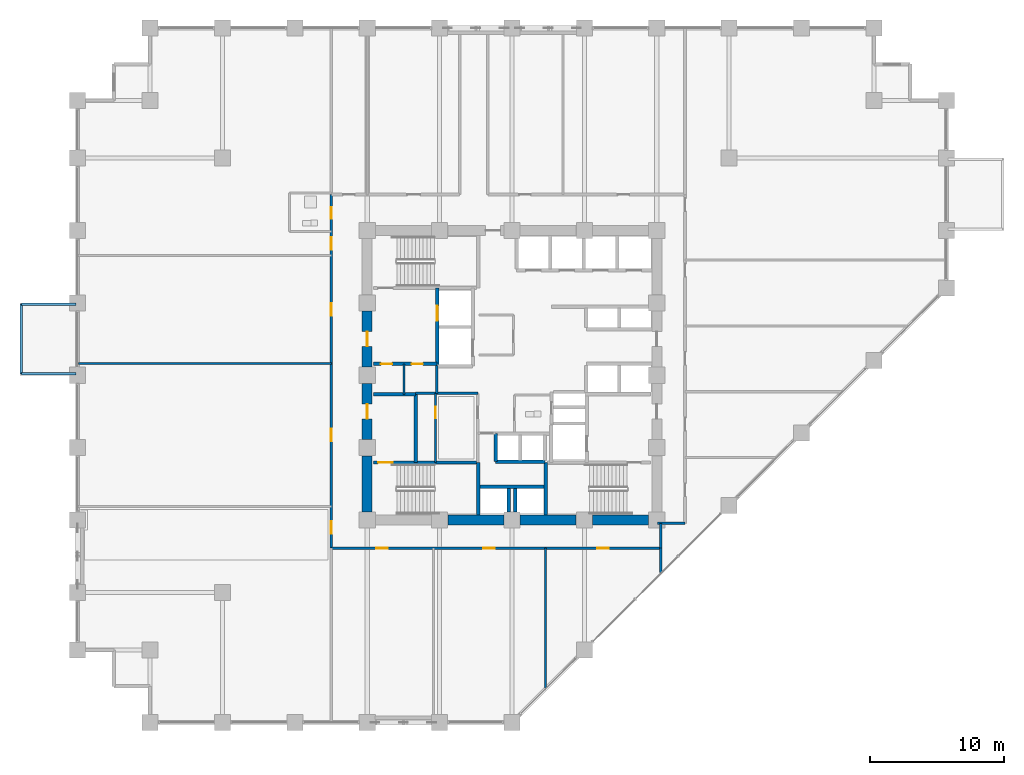
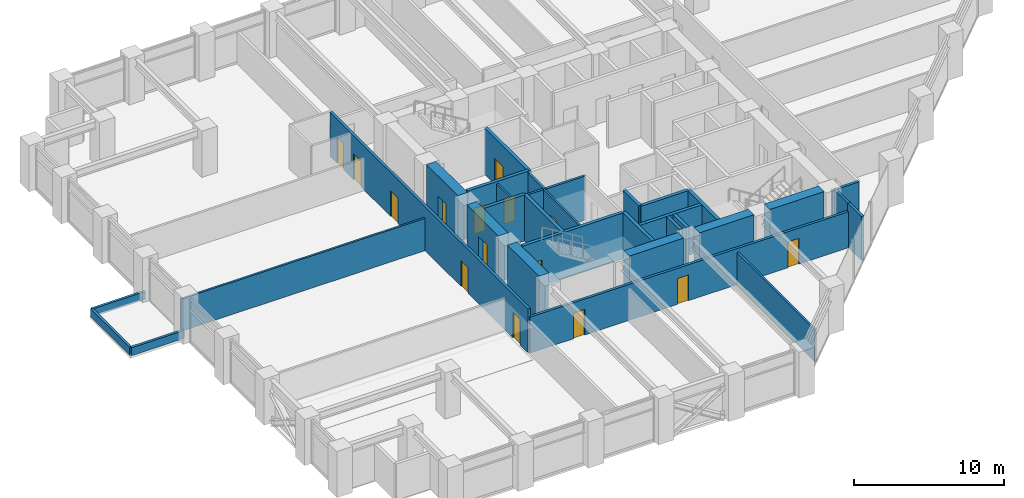
# One storey, part 20 of 26: 32 walls, 15 doors, 15 openings.
"""IFC4 building model written with IfcOpenShell, lengths in metres."""

from ifc_helpers import new_model, si_unit, direction, frame, frame_2d, origin, place, context, subcontext, project, spatial, rectangle, extrude, material, layer, layer_set, type_object, element, fill, save


model = new_model("IFC4")

# Units and contexts
model_context = context("Model", 3, precision=1e-05, world=origin(), true_north=direction((0.0, 1.0)))
body_context = subcontext(model_context, "Body", "Model", "MODEL_VIEW")
ifc_project = project(units=[si_unit("LENGTHUNIT", "METRE"), si_unit("AREAUNIT", "SQUARE_METRE"), si_unit("VOLUMEUNIT", "CUBIC_METRE"), si_unit("PLANEANGLEUNIT", "RADIAN"), si_unit("MASSUNIT", "GRAM", prefix="KILO")], contexts=[model_context])

# Site, building, storey
site_placement = place(None, origin())
site = spatial("IfcSite", under=ifc_project, at=site_placement, CompositionType="ELEMENT")
building_placement = place(site_placement, origin())
building = spatial("IfcBuilding", under=site, at=building_placement, Name="Surkhivell Harbour Commons", CompositionType="ELEMENT")
storey_placement = place(building_placement, frame((0.0, 0.0, 71.25)))
storey = spatial("IfcBuildingStorey", under=building, at=storey_placement, Name="L18", CompositionType="ELEMENT", Elevation=71.25)

# Walls
ifc_material_1 = material(Name="Concrete C60/75", Category="concrete")
ifc_layer_1 = layer(ifc_material_1, 0.75)
ifc_layer_set_1 = layer_set([ifc_layer_1], Name="Concrete C60/75")
wall_type_1 = type_object("IfcWallType", Name="WAL-CORE-750", PredefinedType="SHEAR", material=ifc_layer_set_1)
for number, where, z_axis, x_axis, name in (
    (1, (-10.800048828125, -10.18994140625, 0.0), (0.0, 0.0, 1.0), (0.0, 1.0, 0.0), "L18 Core Shear Wall West 1"),
    (2, (-4.7900390625, -10.800048828125, 0.0), (0.0, 0.0, 1.0), (1.0, 0.0, 0.0), "L18 Core Shear Wall South 2"),
):
    element("IfcWall", number, at=place(storey_placement, frame(where, z_axis=z_axis, x_axis=x_axis)), inside=storey, type_object=wall_type_1, Name=name, PredefinedType="SHEAR", context=body_context, shape_type="SweptSolid", body=[
        extrude(rectangle(XDim=4.179931640625, YDim=0.75, at=frame_2d((2.08984375, 0.0))), origin(), (0.0, 0.0, 1.0), 3.75),
    ])

# Wall, opening, door
wall_1_placement = place(storey_placement, frame((-10.800048828125, -4.7900390625, 0.0), z_axis=(0.0, 0.0, 1.0), x_axis=(0.0, 1.0, 0.0)))
wall_1 = element("IfcWall", 3, at=wall_1_placement, inside=storey, type_object=wall_type_1, Name="L18 Core Shear Wall West 2", PredefinedType="SHEAR", context=body_context, shape_type="SweptSolid", body=[
    extrude(rectangle(XDim=4.179931640625, YDim=0.75, at=frame_2d((2.08984375, 0.0))), origin(), (0.0, 0.0, 1.0), 3.75),
])
opening_1_placement = place(wall_1_placement, frame((1.5400390625, 0.0, 0.0)))
opening_1 = element("IfcOpeningElement", 4, at=opening_1_placement, cuts=wall_1, Name="Opening ID-2", PredefinedType="OPENING", context=body_context, shape_type="SweptSolid", body=[
    extrude(rectangle(XDim=1.10009765625, YDim=2.10009765625, at=frame_2d((0.550048828125, 1.050048828125))), frame((0.0, 0.385009765625, 0.0), z_axis=(0.0, -1.0, 0.0), x_axis=(1.0, 0.0, 0.0)), (0.0, 0.0, 1.0), 0.77001953125),
])
ifc_material_2 = material(Name="Hardwood-veneered fire-rated door leaf", Category="wood")
door_type_1 = type_object("IfcDoorType", Name="DOR-FD60-1100", OperationType="NOTDEFINED", PredefinedType="DOOR", material=ifc_material_2)
door_1_placement = place(opening_1_placement, origin())
door_1 = element("IfcDoor", 5, at=door_1_placement, inside=storey, type_object=door_type_1, Name="L18 Stair 3 Lobby Corridor Door", OperationType="SINGLE_SWING_LEFT", OverallHeight=2.10009765625, OverallWidth=1.10009765625, PredefinedType="DOOR", context=body_context, shape_type="SweptSolid", body=[
    extrude(rectangle(XDim=1.10009765625, YDim=2.10009765625, at=frame_2d((0.550048828125, 1.050048828125))), frame((0.0, 0.02490234375, 0.0), z_axis=(0.0, -1.0, 0.0), x_axis=(1.0, 0.0, 0.0)), (0.0, 0.0, 1.0), 0.050048828125),
])
fill(opening_1, door_1)

# Wall
wall_2_placement = place(storey_placement, frame((0.610107421875, -10.800048828125, 0.0), z_axis=(0.0, 0.0, 1.0), x_axis=(1.0, 0.0, 0.0)))
element("IfcWall", 6, at=wall_2_placement, inside=storey, type_object=wall_type_1, Name="L18 Core Shear Wall South 3", PredefinedType="SHEAR", context=body_context, shape_type="SweptSolid", body=[
    extrude(rectangle(XDim=4.179931640625, YDim=0.75, at=frame_2d((2.08984375, 0.0))), origin(), (0.0, 0.0, 1.0), 3.75),
])

# Wall, opening, door
wall_3_placement = place(storey_placement, frame((-10.800048828125, 0.610107421875, 0.0), z_axis=(0.0, 0.0, 1.0), x_axis=(0.0, 1.0, 0.0)))
wall_3 = element("IfcWall", 7, at=wall_3_placement, inside=storey, type_object=wall_type_1, Name="L18 Core Shear Wall West 3", PredefinedType="SHEAR", context=body_context, shape_type="SweptSolid", body=[
    extrude(rectangle(XDim=4.179931640625, YDim=0.75, at=frame_2d((2.08984375, 0.0))), origin(), (0.0, 0.0, 1.0), 3.75),
])
opening_2_placement = place(wall_3_placement, frame((1.5400390625, 0.0, 0.0)))
opening_2 = element("IfcOpeningElement", 8, at=opening_2_placement, cuts=wall_3, Name="Opening ID-1", PredefinedType="OPENING", context=body_context, shape_type="SweptSolid", body=[
    extrude(rectangle(XDim=1.10009765625, YDim=2.10009765625, at=frame_2d((0.550048828125, 1.050048828125))), frame((0.0, 0.385009765625, 0.0), z_axis=(0.0, -1.0, 0.0), x_axis=(1.0, 0.0, 0.0)), (0.0, 0.0, 1.0), 0.77001953125),
])
door_type_2 = type_object("IfcDoorType", Name="DOR-FD120-1100", OperationType="NOTDEFINED", PredefinedType="DOOR", material=ifc_material_2)
door_2_placement = place(opening_2_placement, origin())
door_2 = element("IfcDoor", 9, at=door_2_placement, inside=storey, type_object=door_type_2, Name="L18 Firefighting Lobby 1 Corridor Door", OperationType="SINGLE_SWING_LEFT", OverallHeight=2.10009765625, OverallWidth=1.10009765625, PredefinedType="DOOR", context=body_context, shape_type="SweptSolid", body=[
    extrude(rectangle(XDim=1.10009765625, YDim=2.10009765625, at=frame_2d((0.550048828125, 1.050048828125))), frame((0.0, 0.02490234375, 0.0), z_axis=(0.0, -1.0, 0.0), x_axis=(1.0, 0.0, 0.0)), (0.0, 0.0, 1.0), 0.050048828125),
])
fill(opening_2, door_2)

# Wall
wall_4_placement = place(storey_placement, frame((6.010009765625, -10.800048828125, 0.0), z_axis=(0.0, 0.0, 1.0), x_axis=(1.0, 0.0, 0.0)))
element("IfcWall", 10, at=wall_4_placement, inside=storey, type_object=wall_type_1, Name="L18 Core Shear Wall South 4", PredefinedType="SHEAR", context=body_context, shape_type="SweptSolid", body=[
    extrude(rectangle(XDim=4.179931640625, YDim=0.75, at=frame_2d((2.08984375, 0.0))), origin(), (0.0, 0.0, 1.0), 3.75),
])

# Wall, opening, door
ifc_material_3 = material(Name="Twin-stud acoustic fireboard partition", Category="other")
ifc_layer_2 = layer(ifc_material_3, 0.14990234375)
ifc_layer_set_2 = layer_set([ifc_layer_2], Name="Twin-stud acoustic fireboard partition")
wall_type_2 = type_object("IfcWallType", Name="WAL-INT-150", PredefinedType="PARTITIONING", material=ifc_layer_set_2)
wall_5_placement = place(storey_placement, frame((-5.699951171875, -6.510009765625, 0.0), z_axis=(0.0, 0.0, 1.0), x_axis=(0.0, 1.0, 0.0)))
wall_5 = element("IfcWall", 11, at=wall_5_placement, inside=storey, type_object=wall_type_2, Name="L18 Core Cut B Partition", PredefinedType="PARTITIONING", context=body_context, shape_type="SweptSolid", body=[
    extrude(rectangle(XDim=5.159912109375, YDim=0.14990234375, at=frame_2d((2.580078125, 0.0))), origin(), (0.0, 0.0, 1.0), 3.570068359375),
])
opening_3_placement = place(wall_5_placement, frame((3.300048828125, 0.0, 0.0)))
opening_3 = element("IfcOpeningElement", 12, at=opening_3_placement, cuts=wall_5, Name="Opening ID-6", PredefinedType="OPENING", context=body_context, shape_type="SweptSolid", body=[
    extrude(rectangle(XDim=0.85009765625, YDim=2.10009765625, at=frame_2d((0.425048828125, 1.050048828125))), frame((0.0, 0.0849609375, 0.0), z_axis=(0.0, -1.0, 0.0), x_axis=(1.0, 0.0, 0.0)), (0.0, 0.0, 1.0), 0.169921875),
])
door_type_3 = type_object("IfcDoorType", Name="DOR-FD30-850", OperationType="NOTDEFINED", PredefinedType="DOOR", material=ifc_material_2)
door_3_placement = place(opening_3_placement, origin())
door_3 = element("IfcDoor", 13, at=door_3_placement, inside=storey, type_object=door_type_3, Name="L18 Core Focus Study Door", OperationType="SINGLE_SWING_RIGHT", OverallHeight=2.10009765625, OverallWidth=0.85009765625, PredefinedType="DOOR", context=body_context, shape_type="SweptSolid", body=[
    extrude(rectangle(XDim=0.85009765625, YDim=2.10009765625, at=frame_2d((0.425048828125, 1.050048828125))), frame((0.0, 0.02490234375, 0.0), z_axis=(0.0, -1.0, 0.0), x_axis=(1.0, 0.0, 0.0)), (0.0, 0.0, 1.0), 0.050048828125),
])
fill(opening_3, door_3)

# Walls
wall_6_placement = place(storey_placement, frame((-8.050048828125, -1.419921875, 0.0), z_axis=(0.0, 0.0, 1.0), x_axis=(0.0, 1.0, 0.0)))
element("IfcWall", 14, at=wall_6_placement, inside=storey, type_object=wall_type_2, Name="L18 West Seminar Booth Divider", PredefinedType="PARTITIONING", context=body_context, shape_type="SweptSolid", body=[
    extrude(rectangle(XDim=2.27001953125, YDim=0.14990234375, at=frame_2d((1.135009765625, 0.0))), origin(), (0.0, 0.0, 1.0), 3.570068359375),
])
wall_7_placement = place(storey_placement, frame((2.5, -23.315185546875, 0.0), z_axis=(0.0, 0.0, 1.0), x_axis=(0.0, 1.0, 0.0)))
element("IfcWall", 15, at=wall_7_placement, inside=storey, type_object=wall_type_2, Name="L18 South Partition P2", PredefinedType="PARTITIONING", context=body_context, shape_type="SweptSolid", body=[
    extrude(rectangle(XDim=10.415283203125, YDim=0.14990234375, at=frame_2d((5.20751953125, 0.0))), origin(), (0.0, 0.0, 1.0), 2.623046875),
])
wall_8_placement = place(storey_placement, frame((-32.340087890625, 0.8798828125, 0.0), z_axis=(0.0, 0.0, 1.0), x_axis=(1.0, 0.0, 0.0)))
element("IfcWall", 16, at=wall_8_placement, inside=storey, type_object=wall_type_2, Name="L18 West Partition BDP1", PredefinedType="PARTITIONING", context=body_context, shape_type="SweptSolid", body=[
    extrude(rectangle(XDim=18.860107421875, YDim=0.14990234375, at=frame_2d((9.43017578125, 0.0))), origin(), (0.0, 0.0, 1.0), 2.623046875),
])
ifc_material_4 = material(Name="High-density acoustic blockwork fire partition", Category="masonry")
ifc_layer_3 = layer(ifc_material_4, 0.175048828125)
ifc_layer_set_3 = layer_set([ifc_layer_3], Name="High-density acoustic blockwork fire partition")
wall_type_3 = type_object("IfcWallType", Name="WAL-INT-175", PredefinedType="PARTITIONING", material=ifc_layer_set_3)
wall_9_placement = place(storey_placement, frame((-7.179931640625, -1.35009765625, 0.0), z_axis=(0.0, 0.0, 1.0), x_axis=(1.0, 0.0, 0.0)))
element("IfcWall", 17, at=wall_9_placement, inside=storey, type_object=wall_type_3, Name="L18 Core Service Bay North Wall", PredefinedType="PARTITIONING", context=body_context, shape_type="SweptSolid", body=[
    extrude(rectangle(XDim=4.6298828125, YDim=0.175048828125, at=frame_2d((2.31494140625, 0.0))), origin(), (0.0, 0.0, 1.0), 3.570068359375),
])
wall_10_placement = place(storey_placement, frame((-5.6201171875, -1.35009765625, 0.0), z_axis=(0.0, 0.0, 1.0), x_axis=(0.0, 1.0, 0.0)))
element("IfcWall", 18, at=wall_10_placement, inside=storey, type_object=wall_type_3, Name="L18 West Core Bay East Wall", PredefinedType="PARTITIONING", context=body_context, shape_type="SweptSolid", body=[
    extrude(rectangle(XDim=2.070068359375, YDim=0.175048828125, at=frame_2d((1.03515625, 0.0))), origin(), (0.0, 0.0, 1.0), 3.570068359375),
])
ifc_material_5 = material(Name="Autoclaved aerated concrete blockwork and fire plaster", Category="masonry")
ifc_layer_4 = layer(ifc_material_5, 0.199951171875)
ifc_layer_set_4 = layer_set([ifc_layer_4], Name="Autoclaved aerated concrete blockwork and fire plaster")
wall_type_4 = type_object("IfcWallType", Name="WAL-INT-200", PredefinedType="PARTITIONING", material=ifc_layer_set_4)
wall_11_placement = place(storey_placement, frame((11.10009765625, -14.715087890625, 0.0), z_axis=(0.0, 0.0, 1.0), x_axis=(0.0, 1.0, 0.0)))
element("IfcWall", 19, at=wall_11_placement, inside=storey, type_object=wall_type_4, Name="L18 South-East Wing Corner Divider", PredefinedType="PARTITIONING", context=body_context, shape_type="SweptSolid", body=[
    extrude(rectangle(XDim=1.815185546875, YDim=0.199951171875, at=frame_2d((0.90771484375, 0.0))), origin(), (0.0, 0.0, 1.0), 3.570068359375),
])
wall_12_placement = place(storey_placement, frame((10.85009765625, -11.0400390625, 0.0), z_axis=(0.0, 0.0, 1.0), x_axis=(1.0, 0.0, 0.0)))
element("IfcWall", 20, at=wall_12_placement, inside=storey, type_object=wall_type_4, Name="L18 Corridor East South Closure Wall", PredefinedType="PARTITIONING", context=body_context, shape_type="SweptSolid", body=[
    extrude(rectangle(XDim=2.0498046875, YDim=0.199951171875, at=frame_2d((1.02490234375, 0.0))), origin(), (0.0, 0.0, 1.0), 3.570068359375),
])

# Wall, openings, doors
wall_13_placement = place(storey_placement, frame((-13.47998046875, -12.89990234375, 0.0), z_axis=(0.0, 0.0, 1.0), x_axis=(1.0, 0.0, 0.0)))
wall_13 = element("IfcWall", 21, at=wall_13_placement, inside=storey, type_object=wall_type_4, Name="L18 Corridor South Wall", PredefinedType="PARTITIONING", context=body_context, shape_type="SweptSolid", body=[
    extrude(rectangle(XDim=24.580078125, YDim=0.199951171875, at=frame_2d((12.2900390625, 0.0))), origin(), (0.0, 0.0, 1.0), 2.929931640625),
])
opening_4_placement = place(wall_13_placement, frame((3.360107421875, 0.0, 0.0)))
opening_4 = element("IfcOpeningElement", 22, at=opening_4_placement, cuts=wall_13, Name="Opening ID-6", PredefinedType="OPENING", context=body_context, shape_type="SweptSolid", body=[
    extrude(rectangle(XDim=0.85009765625, YDim=2.10009765625, at=frame_2d((0.425048828125, 1.050048828125))), frame((0.0, 0.10986328125, 0.0), z_axis=(0.0, -1.0, 0.0), x_axis=(1.0, 0.0, 0.0)), (0.0, 0.0, 1.0), 0.219970703125),
])
opening_5_placement = place(wall_13_placement, frame((11.35009765625, 0.0, 0.0)))
opening_5 = element("IfcOpeningElement", 23, at=opening_5_placement, cuts=wall_13, Name="Opening ID-6", PredefinedType="OPENING", context=body_context, shape_type="SweptSolid", body=[
    extrude(rectangle(XDim=0.85009765625, YDim=2.10009765625, at=frame_2d((0.425048828125, 1.050048828125))), frame((0.0, 0.10986328125, 0.0), z_axis=(0.0, -1.0, 0.0), x_axis=(1.0, 0.0, 0.0)), (0.0, 0.0, 1.0), 0.219970703125),
])
opening_6_placement = place(wall_13_placement, frame((19.830078125, 0.0, 0.0)))
opening_6 = element("IfcOpeningElement", 24, at=opening_6_placement, cuts=wall_13, Name="Opening ID-6", PredefinedType="OPENING", context=body_context, shape_type="SweptSolid", body=[
    extrude(rectangle(XDim=0.85009765625, YDim=2.10009765625, at=frame_2d((0.425048828125, 1.050048828125))), frame((0.0, 0.10986328125, 0.0), z_axis=(0.0, -1.0, 0.0), x_axis=(1.0, 0.0, 0.0)), (0.0, 0.0, 1.0), 0.219970703125),
])
door_4_placement = place(opening_4_placement, origin())
door_4 = element("IfcDoor", 25, at=door_4_placement, inside=storey, type_object=door_type_3, Name="L18 Harbour Espresso Cafe Shop 1 South Door", OperationType="SINGLE_SWING_LEFT", OverallHeight=2.10009765625, OverallWidth=0.85009765625, PredefinedType="DOOR", context=body_context, shape_type="SweptSolid", body=[
    extrude(rectangle(XDim=0.85009765625, YDim=2.10009765625, at=frame_2d((0.425048828125, 1.050048828125))), frame((0.0, 0.02490234375, 0.0), z_axis=(0.0, -1.0, 0.0), x_axis=(1.0, 0.0, 0.0)), (0.0, 0.0, 1.0), 0.050048828125),
])
fill(opening_4, door_4)
door_5_placement = place(opening_5_placement, origin())
door_5 = element("IfcDoor", 26, at=door_5_placement, inside=storey, type_object=door_type_3, Name="L18 Campus Bakery Cafe Shop 2 South Door", OperationType="SINGLE_SWING_RIGHT", OverallHeight=2.10009765625, OverallWidth=0.85009765625, PredefinedType="DOOR", context=body_context, shape_type="SweptSolid", body=[
    extrude(rectangle(XDim=0.85009765625, YDim=2.10009765625, at=frame_2d((0.425048828125, 1.050048828125))), frame((0.0, 0.02490234375, 0.0), z_axis=(0.0, -1.0, 0.0), x_axis=(1.0, 0.0, 0.0)), (0.0, 0.0, 1.0), 0.050048828125),
])
fill(opening_5, door_5)
door_6_placement = place(opening_6_placement, origin())
door_6 = element("IfcDoor", 27, at=door_6_placement, inside=storey, type_object=door_type_3, Name="L18 Stationery Supply Shop 3 South Door", OperationType="SINGLE_SWING_LEFT", OverallHeight=2.10009765625, OverallWidth=0.85009765625, PredefinedType="DOOR", context=body_context, shape_type="SweptSolid", body=[
    extrude(rectangle(XDim=0.85009765625, YDim=2.10009765625, at=frame_2d((0.425048828125, 1.050048828125))), frame((0.0, 0.02490234375, 0.0), z_axis=(0.0, -1.0, 0.0), x_axis=(1.0, 0.0, 0.0)), (0.0, 0.0, 1.0), 0.050048828125),
])
fill(opening_6, door_6)

# Wall
wall_14_placement = place(storey_placement, frame((11.10009765625, -12.89990234375, 0.0), z_axis=(0.0, 0.0, 1.0), x_axis=(0.0, 1.0, 0.0)))
element("IfcWall", 28, at=wall_14_placement, inside=storey, type_object=wall_type_4, Name="L18 Corridor SE Closure Wall", PredefinedType="PARTITIONING", context=body_context, shape_type="SweptSolid", body=[
    extrude(rectangle(XDim=1.85986328125, YDim=0.199951171875, at=frame_2d((0.929931640625, 0.0))), origin(), (0.0, 0.0, 1.0), 3.570068359375),
])

# Wall, openings, doors
wall_15_placement = place(storey_placement, frame((-13.47998046875, -12.89990234375, 0.0), z_axis=(0.0, 0.0, 1.0), x_axis=(0.0, 1.0, 0.0)))
wall_15 = element("IfcWall", 29, at=wall_15_placement, inside=storey, type_object=wall_type_4, Name="L18 Corridor West Wall", PredefinedType="PARTITIONING", context=body_context, shape_type="SweptSolid", body=[
    extrude(rectangle(XDim=26.3798828125, YDim=0.199951171875, at=frame_2d((13.18994140625, 0.0))), origin(), (0.0, 0.0, 1.0), 3.570068359375),
])
opening_7_placement = place(wall_15_placement, frame((1.070068359375, 0.0, 0.0)))
opening_7 = element("IfcOpeningElement", 30, at=opening_7_placement, cuts=wall_15, Name="Opening ID-4", PredefinedType="OPENING", context=body_context, shape_type="SweptSolid", body=[
    extrude(rectangle(XDim=0.949951171875, YDim=2.10009765625, at=frame_2d((0.47509765625, 1.050048828125))), frame((0.0, 0.10986328125, 0.0), z_axis=(0.0, -1.0, 0.0), x_axis=(1.0, 0.0, 0.0)), (0.0, 0.0, 1.0), 0.219970703125),
])
opening_8_placement = place(wall_15_placement, frame((24.5849609375, 0.0, 0.0)))
opening_8 = element("IfcOpeningElement", 31, at=opening_8_placement, cuts=wall_15, Name="Opening ID-6", PredefinedType="OPENING", context=body_context, shape_type="SweptSolid", body=[
    extrude(rectangle(XDim=0.85009765625, YDim=2.10009765625, at=frame_2d((0.425048828125, 1.050048828125))), frame((0.0, 0.10986328125, 0.0), z_axis=(0.0, -1.0, 0.0), x_axis=(1.0, 0.0, 0.0)), (0.0, 0.0, 1.0), 0.219970703125),
])
opening_9_placement = place(wall_15_placement, frame((22.25, 0.0, 0.0)))
opening_9 = element("IfcOpeningElement", 32, at=opening_9_placement, cuts=wall_15, Name="Opening ID-4", PredefinedType="OPENING", context=body_context, shape_type="SweptSolid", body=[
    extrude(rectangle(XDim=0.949951171875, YDim=2.10009765625, at=frame_2d((0.47509765625, 1.050048828125))), frame((0.0, 0.10986328125, 0.0), z_axis=(0.0, -1.0, 0.0), x_axis=(1.0, 0.0, 0.0)), (0.0, 0.0, 1.0), 0.219970703125),
])
opening_10_placement = place(wall_15_placement, frame((7.9599609375, 0.0, 0.0)))
opening_10 = element("IfcOpeningElement", 33, at=opening_10_placement, cuts=wall_15, Name="Opening ID-4", PredefinedType="OPENING", context=body_context, shape_type="SweptSolid", body=[
    extrude(rectangle(XDim=0.949951171875, YDim=2.10009765625, at=frame_2d((0.47509765625, 1.050048828125))), frame((0.0, 0.10986328125, 0.0), z_axis=(0.0, -1.0, 0.0), x_axis=(1.0, 0.0, 0.0)), (0.0, 0.0, 1.0), 0.219970703125),
])
opening_11_placement = place(wall_15_placement, frame((17.324951171875, 0.0, 0.0)))
opening_11 = element("IfcOpeningElement", 34, at=opening_11_placement, cuts=wall_15, Name="Opening ID-4", PredefinedType="OPENING", context=body_context, shape_type="SweptSolid", body=[
    extrude(rectangle(XDim=0.949951171875, YDim=2.10009765625, at=frame_2d((0.47509765625, 1.050048828125))), frame((0.0, 0.10986328125, 0.0), z_axis=(0.0, -1.0, 0.0), x_axis=(1.0, 0.0, 0.0)), (0.0, 0.0, 1.0), 0.219970703125),
])
door_7_placement = place(opening_8_placement, origin())
door_7 = element("IfcDoor", 35, at=door_7_placement, inside=storey, type_object=door_type_3, Name="L18 Communal Shower Bathroom West Door", OperationType="SINGLE_SWING_RIGHT", OverallHeight=2.10009765625, OverallWidth=0.85009765625, PredefinedType="DOOR", context=body_context, shape_type="SweptSolid", body=[
    extrude(rectangle(XDim=0.85009765625, YDim=2.10009765625, at=frame_2d((0.425048828125, 1.050048828125))), frame((0.0, 0.02490234375, 0.0), z_axis=(0.0, -1.0, 0.0), x_axis=(1.0, 0.0, 0.0)), (0.0, 0.0, 1.0), 0.050048828125),
])
fill(opening_8, door_7)
door_type_4 = type_object("IfcDoorType", Name="DOR-FD60-950", OperationType="NOTDEFINED", PredefinedType="DOOR", material=ifc_material_2)
door_8_placement = place(opening_7_placement, origin())
door_8 = element("IfcDoor", 36, at=door_8_placement, inside=storey, type_object=door_type_4, Name="L18 Shared Communal Kitchen West Door", OperationType="SINGLE_SWING_LEFT", OverallHeight=2.10009765625, OverallWidth=0.949951171875, PredefinedType="DOOR", context=body_context, shape_type="SweptSolid", body=[
    extrude(rectangle(XDim=0.949951171875, YDim=2.10009765625, at=frame_2d((0.47509765625, 1.050048828125))), frame((0.0, 0.02490234375, 0.0), z_axis=(0.0, -1.0, 0.0), x_axis=(1.0, 0.0, 0.0)), (0.0, 0.0, 1.0), 0.050048828125),
])
fill(opening_7, door_8)
door_9_placement = place(opening_9_placement, origin())
door_9 = element("IfcDoor", 37, at=door_9_placement, inside=storey, type_object=door_type_4, Name="L18 Academic Reading Commons West Door", OperationType="SINGLE_SWING_LEFT", OverallHeight=2.10009765625, OverallWidth=0.949951171875, PredefinedType="DOOR", context=body_context, shape_type="SweptSolid", body=[
    extrude(rectangle(XDim=0.949951171875, YDim=2.10009765625, at=frame_2d((0.47509765625, 1.050048828125))), frame((0.0, 0.02490234375, 0.0), z_axis=(0.0, -1.0, 0.0), x_axis=(1.0, 0.0, 0.0)), (0.0, 0.0, 1.0), 0.050048828125),
])
fill(opening_9, door_9)
door_10_placement = place(opening_10_placement, origin())
door_10 = element("IfcDoor", 38, at=door_10_placement, inside=storey, type_object=door_type_4, Name="L18 Hostel Cluster Bedroom 1 West Door", OperationType="SINGLE_SWING_RIGHT", OverallHeight=2.10009765625, OverallWidth=0.949951171875, PredefinedType="DOOR", context=body_context, shape_type="SweptSolid", body=[
    extrude(rectangle(XDim=0.949951171875, YDim=2.10009765625, at=frame_2d((0.47509765625, 1.050048828125))), frame((0.0, 0.02490234375, 0.0), z_axis=(0.0, -1.0, 0.0), x_axis=(1.0, 0.0, 0.0)), (0.0, 0.0, 1.0), 0.050048828125),
])
fill(opening_10, door_10)
door_11_placement = place(opening_11_placement, origin())
door_11 = element("IfcDoor", 39, at=door_11_placement, inside=storey, type_object=door_type_4, Name="L18 Co-Living Dormitory Bedroom 2 West Door", OperationType="SINGLE_SWING_LEFT", OverallHeight=2.10009765625, OverallWidth=0.949951171875, PredefinedType="DOOR", context=body_context, shape_type="SweptSolid", body=[
    extrude(rectangle(XDim=0.949951171875, YDim=2.10009765625, at=frame_2d((0.47509765625, 1.050048828125))), frame((0.0, 0.02490234375, 0.0), z_axis=(0.0, -1.0, 0.0), x_axis=(1.0, 0.0, 0.0)), (0.0, 0.0, 1.0), 0.050048828125),
])
fill(opening_11, door_11)

# Walls
ifc_material_6 = material(Name="Anodised aluminium and precast concrete C40/50", Category="concrete")
ifc_layer_5 = layer(ifc_material_6, 0.18505859375)
ifc_layer_set_5 = layer_set([ifc_layer_5], Name="Anodised aluminium and precast concrete C40/50")
wall_type_5 = type_object("IfcWallType", Name="WAL-PAR-185", PredefinedType="PARAPET", material=ifc_layer_set_5)
wall_16_placement = place(storey_placement, frame((-32.52001953125, 5.300048828125, 0.0), z_axis=(0.0, 0.0, 1.0), x_axis=(-1.0, 0.0, 0.0)))
element("IfcWall", 40, at=wall_16_placement, inside=storey, type_object=wall_type_5, Name="L18 Box Roof Coping Parapet 2-1", PredefinedType="PARAPET", context=body_context, shape_type="SweptSolid", body=[
    extrude(rectangle(XDim=4.080078125, YDim=0.18505859375, at=frame_2d((2.0400390625, 0.0))), origin(), (0.0, 0.0, 1.0), 0.64990234375),
])
wall_17_placement = place(storey_placement, frame((-36.60009765625, 5.300048828125, 0.0), z_axis=(0.0, 0.0, 1.0), x_axis=(0.0, -1.0, 0.0)))
element("IfcWall", 41, at=wall_17_placement, inside=storey, type_object=wall_type_5, Name="L18 Box Roof Coping Parapet 2-2", PredefinedType="PARAPET", context=body_context, shape_type="SweptSolid", body=[
    extrude(rectangle(XDim=5.199951171875, YDim=0.18505859375, at=frame_2d((2.60009765625, 0.0))), origin(), (0.0, 0.0, 1.0), 0.64990234375),
])
wall_18_placement = place(storey_placement, frame((-36.60009765625, 0.10009765625, 0.0), z_axis=(0.0, 0.0, 1.0), x_axis=(1.0, 0.0, 0.0)))
element("IfcWall", 42, at=wall_18_placement, inside=storey, type_object=wall_type_5, Name="L18 Box Roof Coping Parapet 2-3", PredefinedType="PARAPET", context=body_context, shape_type="SweptSolid", body=[
    extrude(rectangle(XDim=4.080078125, YDim=0.18505859375, at=frame_2d((2.0400390625, 0.0))), origin(), (0.0, 0.0, 1.0), 0.64990234375),
])

# Wall, opening, door
ifc_material_7 = material(Name="Concrete C50/60", Category="concrete")
ifc_layer_6 = layer(ifc_material_7, 0.25)
ifc_layer_set_6 = layer_set([ifc_layer_6], Name="Concrete C50/60")
wall_type_6 = type_object("IfcWallType", Name="WAL-SHAFT-250", PredefinedType="SHEAR", material=ifc_layer_set_6)
wall_19_placement = place(storey_placement, frame((-5.580078125, 0.719970703125, 0.0), z_axis=(0.0, 0.0, 1.0), x_axis=(0.0, 1.0, 0.0)))
wall_19 = element("IfcWall", 43, at=wall_19_placement, inside=storey, type_object=wall_type_6, Name="L18 Firefighting Lobby 1 East Shaft Wall", PredefinedType="SHEAR", context=body_context, shape_type="SweptSolid", body=[
    extrude(rectangle(XDim=5.7900390625, YDim=0.25, at=frame_2d((2.89501953125, 0.0))), origin(), (0.0, 0.0, 1.0), 3.75),
])
opening_12_placement = place(wall_19_placement, frame((3.35009765625, 0.0, 0.0)))
opening_12 = element("IfcOpeningElement", 44, at=opening_12_placement, cuts=wall_19, Name="Opening LD-1", PredefinedType="OPENING", context=body_context, shape_type="SweptSolid", body=[
    extrude(rectangle(XDim=1.10009765625, YDim=2.10009765625, at=frame_2d((0.550048828125, 1.050048828125))), frame((0.0, 0.135009765625, 0.0), z_axis=(0.0, -1.0, 0.0), x_axis=(1.0, 0.0, 0.0)), (0.0, 0.0, 1.0), 0.27001953125),
])
ifc_material_8 = material(Name="Brushed stainless steel S355", Category="steel")
door_type_5 = type_object("IfcDoorType", Name="DOR-LD-1100", OperationType="SLIDING_TO_LEFT", PredefinedType="DOOR", material=ifc_material_8)
door_12_placement = place(opening_12_placement, origin())
door_12 = element("IfcDoor", 45, at=door_12_placement, inside=storey, type_object=door_type_5, Name="L18 Lift Landing Door LD-FFL1", OperationType="SLIDING_TO_LEFT", OverallHeight=2.10009765625, OverallWidth=1.10009765625, PredefinedType="DOOR", context=body_context, shape_type="SweptSolid", body=[
    extrude(rectangle(XDim=1.10009765625, YDim=2.10009765625, at=frame_2d((0.550048828125, 1.050048828125))), frame((0.0, 0.02490234375, 0.0), z_axis=(0.0, -1.0, 0.0), x_axis=(1.0, 0.0, 0.0)), (0.0, 0.0, 1.0), 0.050048828125),
])
fill(opening_12, door_12)

# Wall, openings, doors
wall_20_placement = place(storey_placement, frame((-10.340087890625, 0.85009765625, 0.0), z_axis=(0.0, 0.0, 1.0), x_axis=(1.0, 0.0, 0.0)))
wall_20 = element("IfcWall", 46, at=wall_20_placement, inside=storey, type_object=wall_type_6, Name="L18 Firefighting Lobby 1 South Wall", PredefinedType="SHEAR", context=body_context, shape_type="SweptSolid", body=[
    extrude(rectangle(XDim=4.760009765625, YDim=0.25, at=frame_2d((2.3798828125, 0.0))), origin(), (0.0, 0.0, 1.0), 3.75),
])
opening_13_placement = place(wall_20_placement, frame((0.550048828125, 0.0, 0.0)))
opening_13 = element("IfcOpeningElement", 47, at=opening_13_placement, cuts=wall_20, Name="Opening ID-6", PredefinedType="OPENING", context=body_context, shape_type="SweptSolid", body=[
    extrude(rectangle(XDim=0.85009765625, YDim=2.10009765625, at=frame_2d((0.425048828125, 1.050048828125))), frame((0.0, 0.135009765625, 0.0), z_axis=(0.0, -1.0, 0.0), x_axis=(1.0, 0.0, 0.0)), (0.0, 0.0, 1.0), 0.27001953125),
])
opening_14_placement = place(wall_20_placement, frame((2.85009765625, 0.0, 0.0)))
opening_14 = element("IfcOpeningElement", 48, at=opening_14_placement, cuts=wall_20, Name="Opening ID-6", PredefinedType="OPENING", context=body_context, shape_type="SweptSolid", body=[
    extrude(rectangle(XDim=0.85009765625, YDim=2.10009765625, at=frame_2d((0.425048828125, 1.050048828125))), frame((0.0, 0.135009765625, 0.0), z_axis=(0.0, -1.0, 0.0), x_axis=(1.0, 0.0, 0.0)), (0.0, 0.0, 1.0), 0.27001953125),
])
door_13_placement = place(opening_13_placement, origin())
door_13 = element("IfcDoor", 49, at=door_13_placement, inside=storey, type_object=door_type_3, Name="L18 West Seminar 1 Door", OperationType="SINGLE_SWING_LEFT", OverallHeight=2.10009765625, OverallWidth=0.85009765625, PredefinedType="DOOR", context=body_context, shape_type="SweptSolid", body=[
    extrude(rectangle(XDim=0.85009765625, YDim=2.10009765625, at=frame_2d((0.425048828125, 1.050048828125))), frame((0.0, 0.02490234375, 0.0), z_axis=(0.0, -1.0, 0.0), x_axis=(1.0, 0.0, 0.0)), (0.0, 0.0, 1.0), 0.050048828125),
])
fill(opening_13, door_13)
door_14_placement = place(opening_14_placement, origin())
door_14 = element("IfcDoor", 50, at=door_14_placement, inside=storey, type_object=door_type_3, Name="L18 West Seminar 2 Door", OperationType="SINGLE_SWING_RIGHT", OverallHeight=2.10009765625, OverallWidth=0.85009765625, PredefinedType="DOOR", context=body_context, shape_type="SweptSolid", body=[
    extrude(rectangle(XDim=0.85009765625, YDim=2.10009765625, at=frame_2d((0.425048828125, 1.050048828125))), frame((0.0, 0.02490234375, 0.0), z_axis=(0.0, -1.0, 0.0), x_axis=(1.0, 0.0, 0.0)), (0.0, 0.0, 1.0), 0.050048828125),
])
fill(opening_14, door_14)

# Walls
for number, where, z_axis, x_axis, name in (
    (51, (-0.25, -10.199951171875, 0.0), (0.0, 0.0, 1.0), (0.0, 1.0, 0.0), "L18 High-Rise Side Wall S"),
    (52, (0.25, -10.199951171875, 0.0), (0.0, 0.0, 1.0), (0.0, 1.0, 0.0), "L18 High-Rise Side Wall S"),
):
    element("IfcWall", number, at=place(storey_placement, frame(where, z_axis=z_axis, x_axis=x_axis)), inside=storey, type_object=wall_type_6, Name=name, PredefinedType="SHEAR", context=body_context, shape_type="SweptSolid", body=[
        extrude(rectangle(XDim=1.760009765625, YDim=0.25, at=frame_2d((0.8798828125, 0.0))), origin(), (0.0, 0.0, 1.0), 3.75),
    ])
wall_21_placement = place(storey_placement, frame((-1.219970703125, -6.43994140625, 0.0), z_axis=(0.0, 0.0, 1.0), x_axis=(0.0, 1.0, 0.0)))
element("IfcWall", 53, at=wall_21_placement, inside=storey, type_object=wall_type_6, Name="L18 High-Rise Passage East Shaft Wall", PredefinedType="SHEAR", context=body_context, shape_type="SweptSolid", body=[
    extrude(rectangle(XDim=2.079833984375, YDim=0.25, at=frame_2d((1.0400390625, 0.0))), origin(), (0.0, 0.0, 1.0), 3.75),
])
wall_22_placement = place(storey_placement, frame((-1.219970703125, -6.43994140625, 0.0), z_axis=(0.0, 0.0, 1.0), x_axis=(1.0, 0.0, 0.0)))
element("IfcWall", 54, at=wall_22_placement, inside=storey, type_object=wall_type_6, Name="L18 High-Rise North Front Shaft Wall", PredefinedType="SHEAR", context=body_context, shape_type="SweptSolid", body=[
    extrude(rectangle(XDim=3.669921875, YDim=0.25, at=frame_2d((1.8349609375, 0.0))), origin(), (0.0, 0.0, 1.0), 3.75),
])
wall_23_placement = place(storey_placement, frame((-2.47998046875, -8.320068359375, 0.0), z_axis=(0.0, 0.0, 1.0), x_axis=(1.0, 0.0, 0.0)))
element("IfcWall", 55, at=wall_23_placement, inside=storey, type_object=wall_type_6, Name="L18 High-Rise South Front Shaft Wall", PredefinedType="SHEAR", context=body_context, shape_type="SweptSolid", body=[
    extrude(rectangle(XDim=4.929931640625, YDim=0.25, at=frame_2d((2.46484375, 0.0))), origin(), (0.0, 0.0, 1.0), 3.75),
])
for number, where, z_axis, x_axis, name in (
    (56, (2.510009765625, -10.425048828125, 0.0), (0.0, 0.0, 1.0), (0.0, 1.0, 0.0), "L18 Stair ST2 West Shear Wall"),
    (57, (-2.510009765625, -10.425048828125, 0.0), (0.0, 0.0, 1.0), (0.0, 1.0, 0.0), "L18 Stair ST3 East Shear Wall"),
):
    element("IfcWall", number, at=place(storey_placement, frame(where, z_axis=z_axis, x_axis=x_axis)), inside=storey, type_object=wall_type_6, Name=name, PredefinedType="SHEAR", context=body_context, shape_type="SweptSolid", body=[
        extrude(rectangle(XDim=3.9150390625, YDim=0.25, at=frame_2d((1.95751953125, 0.0))), origin(), (0.0, 0.0, 1.0), 3.75),
    ])
wall_24_placement = place(storey_placement, frame((-7.179931640625, -6.510009765625, 0.0), z_axis=(0.0, 0.0, 1.0), x_axis=(0.0, 1.0, 0.0)))
element("IfcWall", 58, at=wall_24_placement, inside=storey, type_object=wall_type_6, Name="L18 Stair 3 Lobby East Wall", PredefinedType="SHEAR", context=body_context, shape_type="SweptSolid", body=[
    extrude(rectangle(XDim=5.090087890625, YDim=0.25, at=frame_2d((2.544921875, 0.0))), origin(), (0.0, 0.0, 1.0), 3.75),
])
wall_25_placement = place(storey_placement, frame((-10.340087890625, -1.419921875, 0.0), z_axis=(0.0, 0.0, 1.0), x_axis=(1.0, 0.0, 0.0)))
element("IfcWall", 59, at=wall_25_placement, inside=storey, type_object=wall_type_6, Name="L18 Stair 3 Lobby North Wall", PredefinedType="SHEAR", context=body_context, shape_type="SweptSolid", body=[
    extrude(rectangle(XDim=3.16015625, YDim=0.25, at=frame_2d((1.580078125, 0.0))), origin(), (0.0, 0.0, 1.0), 3.75),
])

# Wall, opening, door
wall_26_placement = place(storey_placement, frame((-10.340087890625, -6.510009765625, 0.0), z_axis=(0.0, 0.0, 1.0), x_axis=(1.0, 0.0, 0.0)))
wall_26 = element("IfcWall", 60, at=wall_26_placement, inside=storey, type_object=wall_type_6, Name="L18 Stair ST3 North Shear Wall", PredefinedType="SHEAR", context=body_context, shape_type="SweptSolid", body=[
    extrude(rectangle(XDim=7.7001953125, YDim=0.25, at=frame_2d((3.85009765625, 0.0))), origin(), (0.0, 0.0, 1.0), 3.75),
])
opening_15_placement = place(wall_26_placement, frame((0.35009765625, 0.0, 0.0)))
opening_15 = element("IfcOpeningElement", 61, at=opening_15_placement, cuts=wall_26, Name="Opening ID-2", PredefinedType="OPENING", context=body_context, shape_type="SweptSolid", body=[
    extrude(rectangle(XDim=1.10009765625, YDim=2.10009765625, at=frame_2d((0.550048828125, 1.050048828125))), frame((0.0, 0.135009765625, 0.0), z_axis=(0.0, -1.0, 0.0), x_axis=(1.0, 0.0, 0.0)), (0.0, 0.0, 1.0), 0.27001953125),
])
door_15_placement = place(opening_15_placement, origin())
door_15 = element("IfcDoor", 62, at=door_15_placement, inside=storey, type_object=door_type_1, Name="L18 Stair ST3 Exit Door", OperationType="SINGLE_SWING_RIGHT", OverallHeight=2.10009765625, OverallWidth=1.10009765625, PredefinedType="DOOR", context=body_context, shape_type="SweptSolid", body=[
    extrude(rectangle(XDim=1.10009765625, YDim=2.10009765625, at=frame_2d((0.550048828125, 1.050048828125))), frame((0.0, 0.02490234375, 0.0), z_axis=(0.0, -1.0, 0.0), x_axis=(1.0, 0.0, 0.0)), (0.0, 0.0, 1.0), 0.050048828125),
])
fill(opening_15, door_15)

save(model, "model.ifc")
